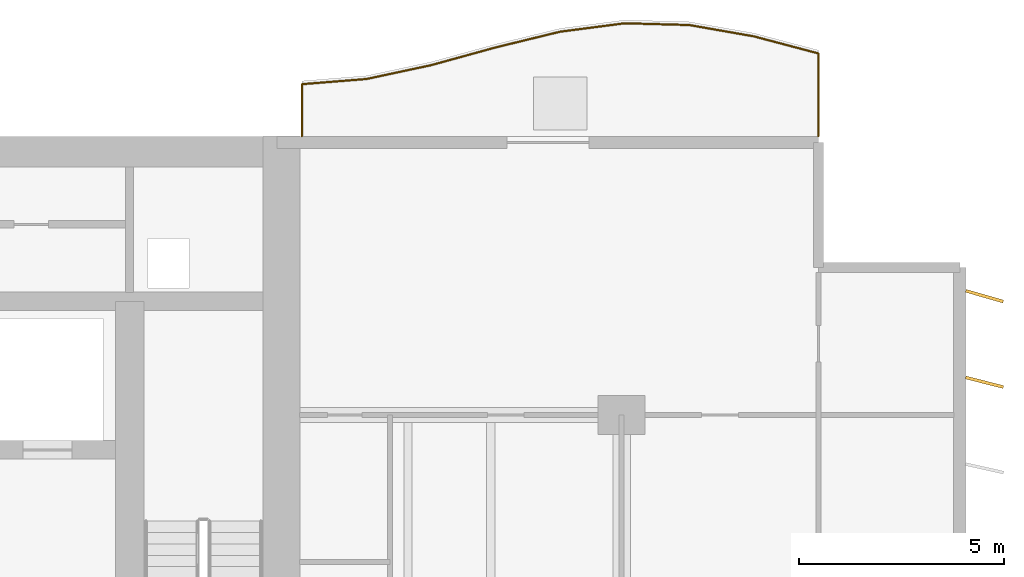
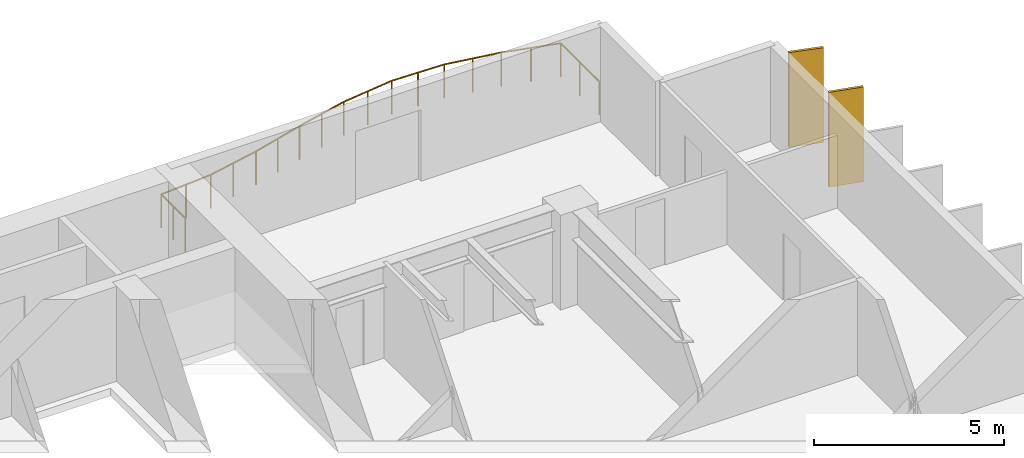
# One storey, part 18 of 18: 2 shading devices, 1 railing.
"""IFC4 building model written with IfcOpenShell, lengths in metres."""

from ifc_helpers import new_model, si_unit, direction, frame, origin, origin_2d, place, context, subcontext, project, spatial, rectangle, circle, extrude, material, material_profile, profile_set, type_object, element, save


model = new_model("IFC4")

# Units and contexts
model_context = context("Model", 3, precision=1e-05, world=origin(), true_north=direction((0.0, 1.0)))
body_context = subcontext(model_context, "Body", "Model", "MODEL_VIEW")
ifc_project = project(units=[si_unit("LENGTHUNIT", "METRE"), si_unit("AREAUNIT", "SQUARE_METRE"), si_unit("VOLUMEUNIT", "CUBIC_METRE"), si_unit("PLANEANGLEUNIT", "RADIAN"), si_unit("MASSUNIT", "GRAM", prefix="KILO")], contexts=[model_context])

# Site, building, storey
site_placement = place(None, origin())
site = spatial("IfcSite", under=ifc_project, at=site_placement, CompositionType="ELEMENT")
building_placement = place(site_placement, origin())
building = spatial("IfcBuilding", under=site, at=building_placement, Name="Caelmar Bay Residences", CompositionType="ELEMENT")
storey_placement = place(building_placement, frame((0.0, 0.0, 46.5)))
storey = spatial("IfcBuildingStorey", under=building, at=storey_placement, Name="L11", CompositionType="ELEMENT", Elevation=46.5)

# Railing
ifc_material_1 = material(Name="Anodised bronze handrail with laminated hurricane glass infill", Category="glass")
railing_type = type_object("IfcRailingType", Name="RL-BAL-1100", PredefinedType="BALUSTRADE", material=ifc_material_1)
railing_placement = place(storey_placement, frame((72.699951171875, 50.60009765625, 0.0)))
element("IfcRailing", 1, at=railing_placement, inside=storey, type_object=railing_type, Name="L11 north_east Balcony Balustrade", PredefinedType="BALUSTRADE", context=body_context, shape_type="SweptSolid", body=[
    extrude(circle(Radius=0.02392578125, at=origin_2d()), frame((0.0, 0.0, 1.076171875), z_axis=(0.0, 1.0, 0.0), x_axis=(-1.0, 0.0, 0.0)), (0.0, 0.0, 1.0), 2.02001953125),
    extrude(circle(Radius=0.02392578125, at=origin_2d()), frame((0.0, 2.02001953125, 1.076171875), z_axis=(-0.96676517068, 0.255666002353, 0.0), x_axis=(-0.255666002353, -0.96676517068, 0.0)), (0.0, 0.0, 1.0), 1.629150390625),
    extrude(circle(Radius=0.02392578125, at=origin_2d()), frame((-1.574951171875, 2.4365234375, 1.076171875), z_axis=(-0.984950641335, 0.172835858935, 0.0), x_axis=(-0.172835858935, -0.984950641335, 0.0)), (0.0, 0.0, 1.0), 1.59912109375),
    extrude(circle(Radius=0.02392578125, at=origin_2d()), frame((-3.14990234375, 2.712890625, 1.076171875), z_axis=(-0.999632250239, 0.02711760096, 0.0), x_axis=(-0.02711760096, -0.999632250239, 0.0)), (0.0, 0.0, 1.0), 1.575439453125),
    extrude(circle(Radius=0.02392578125, at=origin_2d()), frame((-4.724853515625, 2.755615234375, 1.076171875), z_axis=(-0.991611548645, -0.129253768198, 0.0), x_axis=(0.129253768198, -0.991611548645, 0.0)), (0.0, 0.0, 1.0), 1.588623046875),
    extrude(circle(Radius=0.02392578125, at=origin_2d()), frame((-6.300048828125, 2.55029296875, 1.076171875), z_axis=(-0.971534712274, -0.236897241111, 0.0), x_axis=(0.236897241111, -0.971534712274, 0.0)), (0.0, 0.0, 1.0), 1.62109375),
    extrude(circle(Radius=0.02392578125, at=origin_2d()), frame((-7.875, 2.166259765625, 1.076171875), z_axis=(-0.964168126778, -0.265291958616, 0.0), x_axis=(0.265291958616, -0.964168126778, 0.0)), (0.0, 0.0, 1.0), 1.633544921875),
    extrude(circle(Radius=0.02392578125, at=origin_2d()), frame((-9.449951171875, 1.73291015625, 1.076171875), z_axis=(-0.977906557301, -0.209042496127, 0.0), x_axis=(0.209042496127, -0.977906557301, 0.0)), (0.0, 0.0, 1.0), 1.610595703125),
    extrude(circle(Radius=0.02392578125, at=origin_2d()), frame((-11.02490234375, 1.396240234375, 1.076171875), z_axis=(-0.99680396823, -0.079886475209, 0.0), x_axis=(0.079886475209, -0.99680396823, 0.0)), (0.0, 0.0, 1.0), 1.580078125),
    extrude(circle(Radius=0.02392578125, at=origin_2d()), frame((-12.599853515625, 1.27001953125, 1.076171875), z_axis=(0.0, -1.0, 0.0), x_axis=(1.0, 0.0, 0.0)), (0.0, 0.0, 1.0), 1.27001953125),
    extrude(circle(Radius=0.02099609375, at=origin_2d()), origin(), (0.0, 0.0, 1.0), 1.052001953125),
    extrude(circle(Radius=0.02099609375, at=origin_2d()), frame((0.0, 1.010009765625, 0.0)), (0.0, 0.0, 1.0), 1.052001953125),
    extrude(circle(Radius=0.02099609375, at=origin_2d()), frame((0.0, 2.02001953125, 0.0)), (0.0, 0.0, 1.0), 1.052001953125),
    extrude(circle(Radius=0.02099609375, at=origin_2d()), frame((-0.78759765625, 2.228271484375, 0.0)), (0.0, 0.0, 1.0), 1.052001953125),
    extrude(circle(Radius=0.02099609375, at=origin_2d()), frame((-1.574951171875, 2.4365234375, 0.0)), (0.0, 0.0, 1.0), 1.052001953125),
    extrude(circle(Radius=0.02099609375, at=origin_2d()), frame((-2.3623046875, 2.57470703125, 0.0)), (0.0, 0.0, 1.0), 1.052001953125),
    extrude(circle(Radius=0.02099609375, at=origin_2d()), frame((-3.14990234375, 2.712890625, 0.0)), (0.0, 0.0, 1.0), 1.052001953125),
    extrude(circle(Radius=0.02099609375, at=origin_2d()), frame((-3.9375, 2.734375, 0.0)), (0.0, 0.0, 1.0), 1.052001953125),
    extrude(circle(Radius=0.02099609375, at=origin_2d()), frame((-4.724853515625, 2.755615234375, 0.0)), (0.0, 0.0, 1.0), 1.052001953125),
    extrude(circle(Radius=0.02099609375, at=origin_2d()), frame((-5.512451171875, 2.65283203125, 0.0)), (0.0, 0.0, 1.0), 1.052001953125),
    extrude(circle(Radius=0.02099609375, at=origin_2d()), frame((-6.300048828125, 2.55029296875, 0.0)), (0.0, 0.0, 1.0), 1.052001953125),
    extrude(circle(Radius=0.02099609375, at=origin_2d()), frame((-7.08740234375, 2.3583984375, 0.0)), (0.0, 0.0, 1.0), 1.052001953125),
    extrude(circle(Radius=0.02099609375, at=origin_2d()), frame((-7.875, 2.166259765625, 0.0)), (0.0, 0.0, 1.0), 1.052001953125),
    extrude(circle(Radius=0.02099609375, at=origin_2d()), frame((-8.66259765625, 1.94970703125, 0.0)), (0.0, 0.0, 1.0), 1.052001953125),
    extrude(circle(Radius=0.02099609375, at=origin_2d()), frame((-9.449951171875, 1.73291015625, 0.0)), (0.0, 0.0, 1.0), 1.052001953125),
    extrude(circle(Radius=0.02099609375, at=origin_2d()), frame((-10.2373046875, 1.564453125, 0.0)), (0.0, 0.0, 1.0), 1.052001953125),
    extrude(circle(Radius=0.02099609375, at=origin_2d()), frame((-11.02490234375, 1.396240234375, 0.0)), (0.0, 0.0, 1.0), 1.052001953125),
    extrude(circle(Radius=0.02099609375, at=origin_2d()), frame((-11.8125, 1.3330078125, 0.0)), (0.0, 0.0, 1.0), 1.052001953125),
    extrude(circle(Radius=0.02099609375, at=origin_2d()), frame((-12.599853515625, 1.27001953125, 0.0)), (0.0, 0.0, 1.0), 1.052001953125),
    extrude(circle(Radius=0.02099609375, at=origin_2d()), frame((-12.599853515625, 0.635009765625, 0.0)), (0.0, 0.0, 1.0), 1.052001953125),
    extrude(circle(Radius=0.02099609375, at=origin_2d()), frame((-12.599853515625, 0.0, 0.0)), (0.0, 0.0, 1.0), 1.052001953125),
])

# Shading devices
ifc_material_2 = material(Name="Anodised architectural bronze aluminium 6063-T6", Category="aluminium")
ifc_material_profile = material_profile(ifc_material_2, rectangle(XDim=0.074951171875, YDim=0.949951171875, at=origin_2d()), Name="BRONZE-FIN-75X950")
ifc_profile_set = profile_set([ifc_material_profile], Name="Anodised architectural bronze aluminium 6063-T6")
shading_device_type = type_object("IfcShadingDeviceType", Name="SHD-FIN-950", PredefinedType="USERDEFINED", material=ifc_profile_set)
for number, where, z_axis, x_axis, name in (
    (2, (76.75, 44.60009765625, 0.0), (0.0, 0.0, 1.0), (0.247337247968, 0.968929453452, 0.0), "L11 East Bronze Solar Fin 19"),
    (3, (76.75, 46.699951171875, 0.0), (0.0, 0.0, 1.0), (0.275637355817, 0.961261695938, 0.0), "L11 East Bronze Solar Fin 20"),
):
    element("IfcShadingDevice", number, at=place(storey_placement, frame(where, z_axis=z_axis, x_axis=x_axis)), inside=storey, type_object=shading_device_type, Name=name, ObjectType="FIN", PredefinedType="USERDEFINED", context=body_context, shape_type="SweptSolid", body=[
        extrude(rectangle(XDim=0.074951171875, YDim=0.949951171875, at=origin_2d()), origin(), (0.0, 0.0, 1.0), 3.050048828125),
    ])

save(model, "model.ifc")
